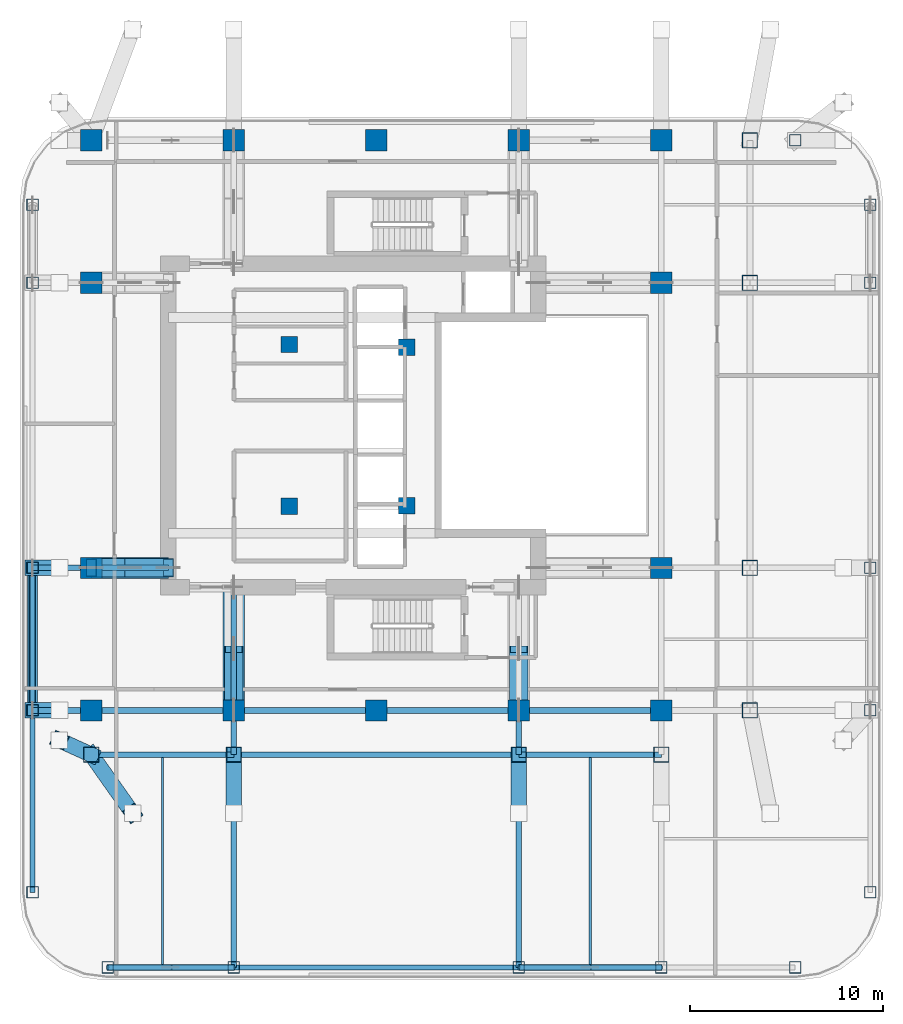
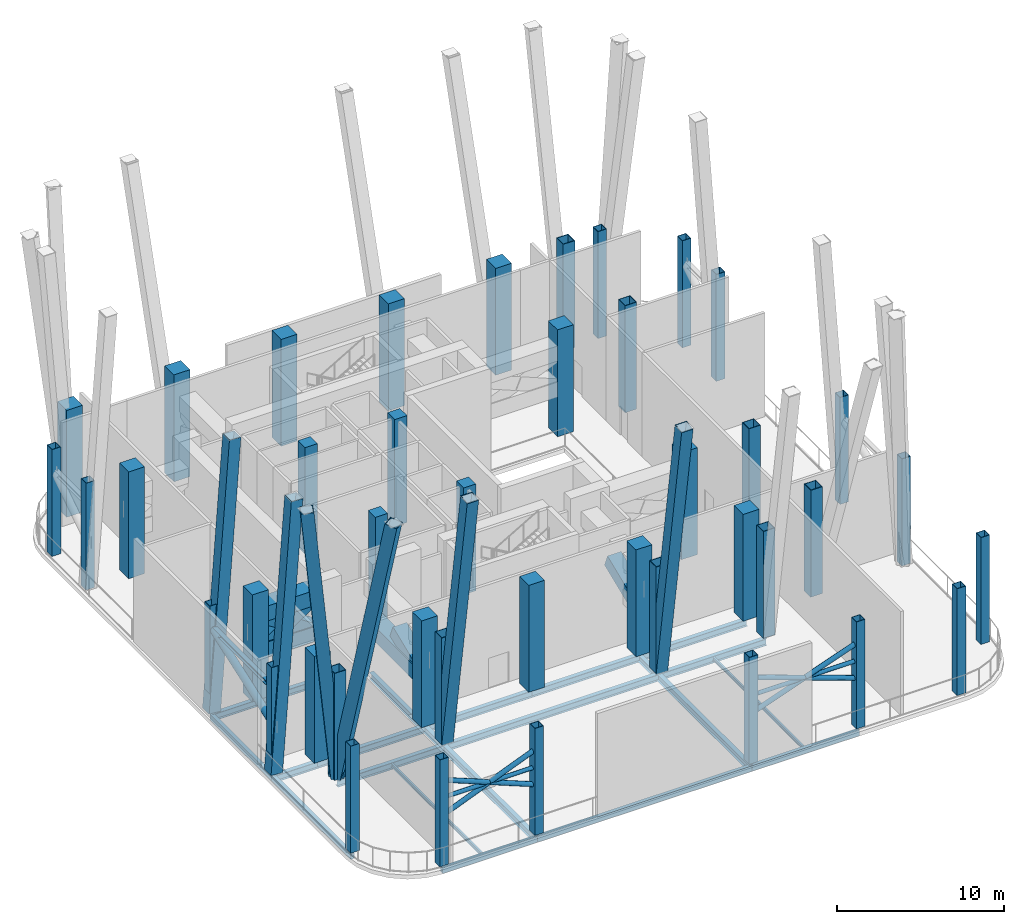
# One storey, part 1 of 9: 42 columns, 24 members, 22 beams.
"""IFC4 building model written with IfcOpenShell, lengths in metres."""

from ifc_helpers import new_model, si_unit, direction, frame, origin, origin_2d, place, context, subcontext, project, spatial, rectangle, hollow_rectangle, hollow_circle, i_section, extrude, material, material_profile, profile_set, type_object, element, save


model = new_model("IFC4")

# Units and contexts
model_context = context("Model", 3, precision=1e-05, world=origin(), true_north=direction((0.0, 1.0)))
body_context = subcontext(model_context, "Body", "Model", "MODEL_VIEW")
ifc_project = project(units=[si_unit("LENGTHUNIT", "METRE"), si_unit("AREAUNIT", "SQUARE_METRE"), si_unit("VOLUMEUNIT", "CUBIC_METRE"), si_unit("PLANEANGLEUNIT", "RADIAN"), si_unit("MASSUNIT", "GRAM", prefix="KILO")], contexts=[model_context])

# Site, building, storey
site_placement = place(None, origin())
site = spatial("IfcSite", under=ifc_project, at=site_placement, CompositionType="ELEMENT")
building_placement = place(site_placement, origin())
building = spatial("IfcBuilding", under=site, at=building_placement, Name="Khorvyn Point Tower", CompositionType="ELEMENT")
storey_placement = place(building_placement, frame((0.0, 0.0, 235.199951171875)))
storey = spatial("IfcBuildingStorey", under=building, at=storey_placement, Name="L58", CompositionType="ELEMENT", Elevation=235.199951171875)

# Columns
ifc_material_1 = material(Name="Concrete C40/50", Category="concrete")
ifc_material_profile_1 = material_profile(ifc_material_1, rectangle(XDim=0.85009765625, YDim=0.85009765625, at=origin_2d()))
ifc_profile_set_1 = profile_set([ifc_material_profile_1], Name="Concrete C40/50 RC850x850")
column_type_1 = type_object("IfcColumnType", Name="Concrete C40/50 Column RC850x850", PredefinedType="COLUMN", material=ifc_profile_set_1)
for number, where, z_axis, x_axis, name in (
    (1, (-4.52001953125, -4.199951171875, 0.0), (0.0, 0.0, 1.0), (1.0, 0.0, 0.0), "L58 Crown Core Spine Column 1"),
    (2, (1.580078125, -4.179931640625, 0.0), (0.0, 0.0, 1.0), (1.0, 0.0, 0.0), "L58 Crown Core Spine Column 2"),
    (3, (1.580078125, 4.050048828125, 0.0), (0.0, 0.0, 1.0), (1.0, 0.0, 0.0), "L58 Crown Core Spine Column 3"),
    (4, (-4.52001953125, 4.199951171875, 0.0), (0.0, 0.0, 1.0), (1.0, 0.0, 0.0), "L58 Crown Core Spine Column 4"),
):
    element("IfcColumn", number, at=place(storey_placement, frame(where, z_axis=z_axis, x_axis=x_axis)), inside=storey, type_object=column_type_1, Name=name, PredefinedType="COLUMN", context=body_context, shape_type="SweptSolid", body=[
        extrude(rectangle(XDim=0.85009765625, YDim=0.85009765625, at=origin_2d()), origin(), (0.0, 0.0, 1.0), 7.800048828125),
    ])
ifc_material_2 = material(Name="Concrete C45/55", Category="concrete")
ifc_material_profile_2 = material_profile(ifc_material_2, rectangle(XDim=1.10009765625, YDim=1.10009765625, at=origin_2d()))
ifc_profile_set_2 = profile_set([ifc_material_profile_2], Name="Concrete C45/55 RC1100x1100")
column_type_2 = type_object("IfcColumnType", Name="Concrete C45/55 Column RC1100x1100", PredefinedType="COLUMN", material=ifc_profile_set_2)
for number, where, z_axis, x_axis, name in (
    (5, (-14.800048828125, -14.800048828125, 0.0), (0.0, 0.0, 1.0), (1.0, 0.0, 0.0), "L58 Mega-Column MC-01"),
    (6, (-7.39990234375, -14.800048828125, 0.0), (0.0, 0.0, 1.0), (1.0, 0.0, 0.0), "L58 Mega-Column MC-02"),
    (7, (0.0, -14.800048828125, 0.0), (0.0, 0.0, 1.0), (1.0, 0.0, 0.0), "L58 Mega-Column MC-03"),
    (8, (7.39990234375, -14.800048828125, 0.0), (0.0, 0.0, 1.0), (1.0, 0.0, 0.0), "L58 Mega-Column MC-04"),
    (9, (14.800048828125, -14.800048828125, 0.0), (0.0, 0.0, 1.0), (1.0, 0.0, 0.0), "L58 Mega-Column MC-05"),
    (10, (-14.800048828125, 14.800048828125, 0.0), (0.0, 0.0, 1.0), (1.0, 0.0, 0.0), "L58 Mega-Column MC-06"),
    (11, (-7.39990234375, 14.800048828125, 0.0), (0.0, 0.0, 1.0), (1.0, 0.0, 0.0), "L58 Mega-Column MC-07"),
    (12, (0.0, 14.800048828125, 0.0), (0.0, 0.0, 1.0), (1.0, 0.0, 0.0), "L58 Mega-Column MC-08"),
    (13, (7.39990234375, 14.800048828125, 0.0), (0.0, 0.0, 1.0), (1.0, 0.0, 0.0), "L58 Mega-Column MC-09"),
    (14, (14.800048828125, 14.800048828125, 0.0), (0.0, 0.0, 1.0), (1.0, 0.0, 0.0), "L58 Mega-Column MC-10"),
    (15, (-14.800048828125, -7.39990234375, 0.0), (0.0, 0.0, 1.0), (1.0, 0.0, 0.0), "L58 Mega-Column MC-11"),
    (16, (-14.800048828125, 7.39990234375, 0.0), (0.0, 0.0, 1.0), (1.0, 0.0, 0.0), "L58 Mega-Column MC-12"),
    (17, (14.800048828125, -7.39990234375, 0.0), (0.0, 0.0, 1.0), (1.0, 0.0, 0.0), "L58 Mega-Column MC-13"),
    (18, (14.800048828125, 7.39990234375, 0.0), (0.0, 0.0, 1.0), (1.0, 0.0, 0.0), "L58 Mega-Column MC-14"),
):
    element("IfcColumn", number, at=place(storey_placement, frame(where, z_axis=z_axis, x_axis=x_axis)), inside=storey, type_object=column_type_2, Name=name, PredefinedType="COLUMN", context=body_context, shape_type="SweptSolid", body=[
        extrude(rectangle(XDim=1.10009765625, YDim=1.10009765625, at=origin_2d()), origin(), (0.0, 0.0, 1.0), 7.800048828125),
    ])
ifc_material_3 = material(Name="Steel S450", Category="steel")
ifc_material_profile_3 = material_profile(ifc_material_3, hollow_rectangle(XDim=0.60009765625, YDim=0.60009765625, WallThickness=0.028076171875, at=origin_2d()))
ifc_profile_set_3 = profile_set([ifc_material_profile_3], Name="Steel S450 BOX600x600x28")
column_type_3 = type_object("IfcColumnType", Name="Steel S450 Structural Column BOX600x600x28", PredefinedType="COLUMN", material=ifc_profile_set_3)
for number, where, z_axis, x_axis, name in (
    (19, (-13.949951171875, -28.14990234375, 0.0), (0.0, 0.0, 1.0), (1.0, 0.0, 0.0), "L58 Perimeter Tube Column TC-01"),
    (20, (21.75, -28.14990234375, 0.0), (0.0, 0.0, 1.0), (1.0, 0.0, 0.0), "L58 Perimeter Tube Column TC-02"),
    (21, (21.75, 14.800048828125, 0.0), (0.0, 0.0, 1.0), (1.0, 0.0, 0.0), "L58 Perimeter Tube Column TC-03"),
    (22, (-17.85009765625, -24.25, 0.0), (0.0, 0.0, 1.0), (1.0, 0.0, 0.0), "L58 Perimeter Tube Column TC-04"),
    (23, (-17.85009765625, 11.449951171875, 0.0), (0.0, 0.0, 1.0), (1.0, 0.0, 0.0), "L58 Perimeter Tube Column TC-05"),
    (24, (25.64990234375, -24.25, 0.0), (0.0, 0.0, 1.0), (1.0, 0.0, 0.0), "L58 Perimeter Tube Column TC-06"),
    (25, (25.64990234375, 11.449951171875, 0.0), (0.0, 0.0, 1.0), (1.0, 0.0, 0.0), "L58 Perimeter Tube Column TC-07"),
    (26, (-7.39990234375, -28.14990234375, 0.0), (0.0, 0.0, 1.0), (1.0, 0.0, 0.0), "L58 Perimeter Tube Column TC-08"),
    (27, (7.39990234375, -28.14990234375, 0.0), (0.0, 0.0, 1.0), (1.0, 0.0, 0.0), "L58 Perimeter Tube Column TC-09"),
    (28, (14.800048828125, -28.14990234375, 0.0), (0.0, 0.0, 1.0), (1.0, 0.0, 0.0), "L58 Perimeter Tube Column TC-10"),
    (29, (-17.85009765625, -14.800048828125, 0.0), (0.0, 0.0, 1.0), (1.0, 0.0, 0.0), "L58 Perimeter Tube Column TC-11"),
    (30, (25.64990234375, -14.800048828125, 0.0), (0.0, 0.0, 1.0), (1.0, 0.0, 0.0), "L58 Perimeter Tube Column TC-12"),
    (31, (-17.85009765625, -7.39990234375, 0.0), (0.0, 0.0, 1.0), (1.0, 0.0, 0.0), "L58 Perimeter Tube Column TC-13"),
    (32, (25.64990234375, -7.39990234375, 0.0), (0.0, 0.0, 1.0), (1.0, 0.0, 0.0), "L58 Perimeter Tube Column TC-14"),
    (33, (-17.85009765625, 7.39990234375, 0.0), (0.0, 0.0, 1.0), (1.0, 0.0, 0.0), "L58 Perimeter Tube Column TC-15"),
    (34, (25.64990234375, 7.39990234375, 0.0), (0.0, 0.0, 1.0), (1.0, 0.0, 0.0), "L58 Perimeter Tube Column TC-16"),
):
    element("IfcColumn", number, at=place(storey_placement, frame(where, z_axis=z_axis, x_axis=x_axis)), inside=storey, type_object=column_type_3, Name=name, PredefinedType="COLUMN", context=body_context, shape_type="SweptSolid", body=[
        extrude(hollow_rectangle(XDim=0.60009765625, YDim=0.60009765625, WallThickness=0.028076171875, at=origin_2d()), origin(), (0.0, 0.0, 1.0), 7.800048828125),
    ])
ifc_material_profile_4 = material_profile(ifc_material_3, hollow_rectangle(XDim=0.800048828125, YDim=0.800048828125, WallThickness=0.035888671875, at=origin_2d()))
ifc_profile_set_4 = profile_set([ifc_material_profile_4], Name="Steel S450 BOX800x800x36")
column_type_4 = type_object("IfcColumnType", Name="Steel S450 Structural Column BOX800x800x36", PredefinedType="COLUMN", material=ifc_profile_set_4)
for number, where, z_axis, x_axis, name in (
    (35, (19.39990234375, -14.800048828125, 0.0), (0.0, 0.0, 1.0), (1.0, 0.0, 0.0), "L58 Intermediate Column ICE--14"),
    (36, (19.39990234375, -7.39990234375, 0.0), (0.0, 0.0, 1.0), (1.0, 0.0, 0.0), "L58 Intermediate Column ICE--7"),
    (37, (19.39990234375, 7.39990234375, 0.0), (0.0, 0.0, 1.0), (1.0, 0.0, 0.0), "L58 Intermediate Column ICE-7"),
    (38, (19.39990234375, 14.800048828125, 0.0), (0.0, 0.0, 1.0), (1.0, 0.0, 0.0), "L58 Intermediate Column ICE-14"),
    (39, (-14.800048828125, -17.10009765625, 0.0), (0.0, 0.0, 1.0), (1.0, 0.0, 0.0), "L58 Intermediate Column ICS--14"),
    (40, (-7.39990234375, -17.10009765625, 0.0), (0.0, 0.0, 1.0), (1.0, 0.0, 0.0), "L58 Intermediate Column ICS--7"),
    (41, (7.39990234375, -17.10009765625, 0.0), (0.0, 0.0, 1.0), (1.0, 0.0, 0.0), "L58 Intermediate Column ICS-7"),
    (42, (14.800048828125, -17.10009765625, 0.0), (0.0, 0.0, 1.0), (1.0, 0.0, 0.0), "L58 Intermediate Column ICS-14"),
):
    element("IfcColumn", number, at=place(storey_placement, frame(where, z_axis=z_axis, x_axis=x_axis)), inside=storey, type_object=column_type_4, Name=name, PredefinedType="COLUMN", context=body_context, shape_type="SweptSolid", body=[
        extrude(hollow_rectangle(XDim=0.800048828125, YDim=0.800048828125, WallThickness=0.035888671875, at=origin_2d()), origin(), (0.0, 0.0, 1.0), 7.800048828125),
    ])

# Beams
ifc_material_4 = material(Name="Steel S355", Category="steel")
ifc_material_profile_5 = material_profile(ifc_material_4, i_section(OverallWidth=0.125, OverallDepth=0.25, WebThickness=0.006103515625, FlangeThickness=0.009033203125, at=origin_2d()))
ifc_profile_set_5 = profile_set([ifc_material_profile_5], Name="Steel S355 H250x125x6x9")
beam_type_1 = type_object("IfcBeamType", Name="Steel S355 Joist H250x125x6x9", PredefinedType="JOIST", material=ifc_profile_set_5)
for number, where, z_axis, x_axis, name in (
    (43, (-11.10009765625, -28.02490234375, -0.425048828125), (0.0, 1.0, 0.0), (-1.0, 0.0, 0.0), "Beam"),
    (44, (11.10009765625, -28.02490234375, -0.425048828125), (0.0, 1.0, 0.0), (-1.0, 0.0, 0.0), "Beam"),
):
    element("IfcBeam", number, at=place(storey_placement, frame(where, z_axis=z_axis, x_axis=x_axis)), inside=storey, type_object=beam_type_1, Name=name, PredefinedType="JOIST", context=body_context, shape_type="SweptSolid", body=[
        extrude(i_section(OverallWidth=0.125, OverallDepth=0.25, WebThickness=0.006103515625, FlangeThickness=0.009033203125, at=origin_2d()), origin(), (0.0, 0.0, 1.0), 10.77490234375),
    ])
ifc_material_profile_6 = material_profile(ifc_material_4, i_section(OverallWidth=0.300048828125, OverallDepth=0.488037109375, WebThickness=0.010986328125, FlangeThickness=0.01806640625, at=origin_2d()))
ifc_profile_set_6 = profile_set([ifc_material_profile_6], Name="Steel S355 H488x300x11x18")
beam_type_2 = type_object("IfcBeamType", Name="Steel S355 Spandrel H488x300x11x18", PredefinedType="SPANDREL", material=ifc_profile_set_6)
beam_1_placement = place(storey_placement, frame((-17.85009765625, -14.800048828125, -0.5439453125), z_axis=(1.0, 0.0, 0.0), x_axis=(0.0, 1.0, 0.0)))
element("IfcBeam", 45, at=beam_1_placement, inside=storey, type_object=beam_type_2, Name="Beam", PredefinedType="SPANDREL", context=body_context, shape_type="SweptSolid", body=[
    extrude(i_section(OverallWidth=0.300048828125, OverallDepth=0.488037109375, WebThickness=0.010986328125, FlangeThickness=0.01806640625, at=origin_2d()), origin(), (0.0, 0.0, 1.0), 3.050048828125),
])
beam_2_placement = place(storey_placement, frame((-14.800048828125, -14.800048828125, -0.5439453125), z_axis=(1.0, 0.0, 0.0), x_axis=(0.0, 1.0, 0.0)))
element("IfcBeam", 46, at=beam_2_placement, inside=storey, type_object=beam_type_2, Name="Beam", PredefinedType="SPANDREL", context=body_context, shape_type="SweptSolid", body=[
    extrude(i_section(OverallWidth=0.300048828125, OverallDepth=0.488037109375, WebThickness=0.010986328125, FlangeThickness=0.01806640625, at=origin_2d()), origin(), (0.0, 0.0, 1.0), 7.400146484375),
])
for number, where, z_axis, x_axis, name in (
    (47, (-7.39990234375, -14.800048828125, -0.5439453125), (1.0, 0.0, 0.0), (0.0, 1.0, 0.0), "Beam"),
    (48, (0.0, -14.800048828125, -0.5439453125), (1.0, 0.0, 0.0), (0.0, 1.0, 0.0), "Beam"),
):
    element("IfcBeam", number, at=place(storey_placement, frame(where, z_axis=z_axis, x_axis=x_axis)), inside=storey, type_object=beam_type_2, Name=name, PredefinedType="SPANDREL", context=body_context, shape_type="SweptSolid", body=[
        extrude(i_section(OverallWidth=0.300048828125, OverallDepth=0.488037109375, WebThickness=0.010986328125, FlangeThickness=0.01806640625, at=origin_2d()), origin(), (0.0, 0.0, 1.0), 7.39990234375),
    ])
beam_3_placement = place(storey_placement, frame((7.39990234375, -14.800048828125, -0.5439453125), z_axis=(1.0, 0.0, 0.0), x_axis=(0.0, 1.0, 0.0)))
element("IfcBeam", 49, at=beam_3_placement, inside=storey, type_object=beam_type_2, Name="Beam", PredefinedType="SPANDREL", context=body_context, shape_type="SweptSolid", body=[
    extrude(i_section(OverallWidth=0.300048828125, OverallDepth=0.488037109375, WebThickness=0.010986328125, FlangeThickness=0.01806640625, at=origin_2d()), origin(), (0.0, 0.0, 1.0), 7.400146484375),
])
beam_4_placement = place(storey_placement, frame((-17.85009765625, -7.39990234375, -0.5439453125), z_axis=(1.0, 0.0, 0.0), x_axis=(0.0, 1.0, 0.0)))
element("IfcBeam", 50, at=beam_4_placement, inside=storey, type_object=beam_type_2, Name="Beam", PredefinedType="SPANDREL", context=body_context, shape_type="SweptSolid", body=[
    extrude(i_section(OverallWidth=0.300048828125, OverallDepth=0.488037109375, WebThickness=0.010986328125, FlangeThickness=0.01806640625, at=origin_2d()), origin(), (0.0, 0.0, 1.0), 3.050048828125),
])
beam_5_placement = place(storey_placement, frame((-14.800048828125, -7.39990234375, -0.5439453125), z_axis=(1.0, 0.0, 0.0), x_axis=(0.0, 1.0, 0.0)))
element("IfcBeam", 51, at=beam_5_placement, inside=storey, type_object=beam_type_2, Name="Beam", PredefinedType="SPANDREL", context=body_context, shape_type="SweptSolid", body=[
    extrude(i_section(OverallWidth=0.300048828125, OverallDepth=0.488037109375, WebThickness=0.010986328125, FlangeThickness=0.01806640625, at=origin_2d()), origin(), (0.0, 0.0, 1.0), 4.0),
])
beam_6_placement = place(storey_placement, frame((-14.800048828125, -17.10009765625, -0.5439453125), z_axis=(1.0, 0.0, 0.0), x_axis=(0.0, 1.0, 0.0)))
element("IfcBeam", 52, at=beam_6_placement, inside=storey, type_object=beam_type_2, Name="Beam", PredefinedType="SPANDREL", context=body_context, shape_type="SweptSolid", body=[
    extrude(i_section(OverallWidth=0.300048828125, OverallDepth=0.488037109375, WebThickness=0.010986328125, FlangeThickness=0.01806640625, at=origin_2d()), origin(), (0.0, 0.0, 1.0), 7.400146484375),
])
beam_7_placement = place(storey_placement, frame((-7.39990234375, -17.10009765625, -0.5439453125), z_axis=(1.0, 0.0, 0.0), x_axis=(0.0, 1.0, 0.0)))
element("IfcBeam", 53, at=beam_7_placement, inside=storey, type_object=beam_type_2, Name="Beam", PredefinedType="SPANDREL", context=body_context, shape_type="SweptSolid", body=[
    extrude(i_section(OverallWidth=0.300048828125, OverallDepth=0.488037109375, WebThickness=0.010986328125, FlangeThickness=0.01806640625, at=origin_2d()), origin(), (0.0, 0.0, 1.0), 14.7998046875),
])
beam_8_placement = place(storey_placement, frame((7.39990234375, -17.10009765625, -0.5439453125), z_axis=(1.0, 0.0, 0.0), x_axis=(0.0, 1.0, 0.0)))
element("IfcBeam", 54, at=beam_8_placement, inside=storey, type_object=beam_type_2, Name="Beam", PredefinedType="SPANDREL", context=body_context, shape_type="SweptSolid", body=[
    extrude(i_section(OverallWidth=0.300048828125, OverallDepth=0.488037109375, WebThickness=0.010986328125, FlangeThickness=0.01806640625, at=origin_2d()), origin(), (0.0, 0.0, 1.0), 7.400146484375),
])
beam_9_placement = place(storey_placement, frame((-7.39990234375, -28.14990234375, -0.5439453125), z_axis=(0.0, 1.0, 0.0), x_axis=(-1.0, 0.0, 0.0)))
element("IfcBeam", 55, at=beam_9_placement, inside=storey, type_object=beam_type_2, Name="Beam", PredefinedType="SPANDREL", context=body_context, shape_type="SweptSolid", body=[
    extrude(i_section(OverallWidth=0.300048828125, OverallDepth=0.488037109375, WebThickness=0.010986328125, FlangeThickness=0.01806640625, at=origin_2d()), origin(), (0.0, 0.0, 1.0), 11.0498046875),
])
beam_10_placement = place(storey_placement, frame((-7.39990234375, -17.10009765625, -0.5439453125), z_axis=(0.0, 1.0, 0.0), x_axis=(-1.0, 0.0, 0.0)))
element("IfcBeam", 56, at=beam_10_placement, inside=storey, type_object=beam_type_2, Name="Beam", PredefinedType="SPANDREL", context=body_context, shape_type="SweptSolid", body=[
    extrude(i_section(OverallWidth=0.300048828125, OverallDepth=0.488037109375, WebThickness=0.010986328125, FlangeThickness=0.01806640625, at=origin_2d()), origin(), (0.0, 0.0, 1.0), 2.300048828125),
])
beam_11_placement = place(storey_placement, frame((-7.39990234375, -14.800048828125, -0.5439453125), z_axis=(0.0, 1.0, 0.0), x_axis=(-1.0, 0.0, 0.0)))
element("IfcBeam", 57, at=beam_11_placement, inside=storey, type_object=beam_type_2, Name="Beam", PredefinedType="SPANDREL", context=body_context, shape_type="SweptSolid", body=[
    extrude(i_section(OverallWidth=0.300048828125, OverallDepth=0.488037109375, WebThickness=0.010986328125, FlangeThickness=0.01806640625, at=origin_2d()), origin(), (0.0, 0.0, 1.0), 6.400146484375),
])
beam_12_placement = place(storey_placement, frame((7.39990234375, -28.14990234375, -0.5439453125), z_axis=(0.0, 1.0, 0.0), x_axis=(-1.0, 0.0, 0.0)))
element("IfcBeam", 58, at=beam_12_placement, inside=storey, type_object=beam_type_2, Name="Beam", PredefinedType="SPANDREL", context=body_context, shape_type="SweptSolid", body=[
    extrude(i_section(OverallWidth=0.300048828125, OverallDepth=0.488037109375, WebThickness=0.010986328125, FlangeThickness=0.01806640625, at=origin_2d()), origin(), (0.0, 0.0, 1.0), 11.0498046875),
])
beam_13_placement = place(storey_placement, frame((7.39990234375, -17.10009765625, -0.5439453125), z_axis=(0.0, 1.0, 0.0), x_axis=(-1.0, 0.0, 0.0)))
element("IfcBeam", 59, at=beam_13_placement, inside=storey, type_object=beam_type_2, Name="Beam", PredefinedType="SPANDREL", context=body_context, shape_type="SweptSolid", body=[
    extrude(i_section(OverallWidth=0.300048828125, OverallDepth=0.488037109375, WebThickness=0.010986328125, FlangeThickness=0.01806640625, at=origin_2d()), origin(), (0.0, 0.0, 1.0), 2.300048828125),
])
ifc_material_profile_7 = material_profile(ifc_material_4, hollow_rectangle(XDim=0.25, YDim=0.39990234375, WallThickness=0.01611328125, at=origin_2d()))
ifc_profile_set_7 = profile_set([ifc_material_profile_7], Name="Steel S355 RHS400x250x16")
beam_type_3 = type_object("IfcBeamType", Name="Steel S355 Spandrel RHS400x250x16", PredefinedType="SPANDREL", material=ifc_profile_set_7)
beam_14_placement = place(storey_placement, frame((-13.949951171875, -28.14990234375, -0.5), z_axis=(1.0, 0.0, 0.0), x_axis=(0.0, 1.0, 0.0)))
element("IfcBeam", 60, at=beam_14_placement, inside=storey, type_object=beam_type_3, Name="Beam", PredefinedType="SPANDREL", context=body_context, shape_type="SweptSolid", body=[
    extrude(hollow_rectangle(XDim=0.25, YDim=0.39990234375, WallThickness=0.01611328125, at=origin_2d()), origin(), (0.0, 0.0, 1.0), 6.550048828125),
])
beam_15_placement = place(storey_placement, frame((-7.39990234375, -28.14990234375, -0.5), z_axis=(1.0, 0.0, 0.0), x_axis=(0.0, 1.0, 0.0)))
element("IfcBeam", 61, at=beam_15_placement, inside=storey, type_object=beam_type_3, Name="Beam", PredefinedType="SPANDREL", context=body_context, shape_type="SweptSolid", body=[
    extrude(hollow_rectangle(XDim=0.25, YDim=0.39990234375, WallThickness=0.01611328125, at=origin_2d()), origin(), (0.0, 0.0, 1.0), 14.7998046875),
])
beam_16_placement = place(storey_placement, frame((7.39990234375, -28.14990234375, -0.5), z_axis=(1.0, 0.0, 0.0), x_axis=(0.0, 1.0, 0.0)))
element("IfcBeam", 62, at=beam_16_placement, inside=storey, type_object=beam_type_3, Name="Beam", PredefinedType="SPANDREL", context=body_context, shape_type="SweptSolid", body=[
    extrude(hollow_rectangle(XDim=0.25, YDim=0.39990234375, WallThickness=0.01611328125, at=origin_2d()), origin(), (0.0, 0.0, 1.0), 7.400146484375),
])
beam_17_placement = place(storey_placement, frame((-17.85009765625, -24.25, -0.5), z_axis=(0.0, 1.0, 0.0), x_axis=(-1.0, 0.0, 0.0)))
element("IfcBeam", 63, at=beam_17_placement, inside=storey, type_object=beam_type_3, Name="Beam", PredefinedType="SPANDREL", context=body_context, shape_type="SweptSolid", body=[
    extrude(hollow_rectangle(XDim=0.25, YDim=0.39990234375, WallThickness=0.01611328125, at=origin_2d()), origin(), (0.0, 0.0, 1.0), 9.449951171875),
])
beam_18_placement = place(storey_placement, frame((-17.85009765625, -14.800048828125, -0.5), z_axis=(0.0, 1.0, 0.0), x_axis=(-1.0, 0.0, 0.0)))
element("IfcBeam", 64, at=beam_18_placement, inside=storey, type_object=beam_type_3, Name="Beam", PredefinedType="SPANDREL", context=body_context, shape_type="SweptSolid", body=[
    extrude(hollow_rectangle(XDim=0.25, YDim=0.39990234375, WallThickness=0.01611328125, at=origin_2d()), origin(), (0.0, 0.0, 1.0), 7.400146484375),
])

# Members
ifc_material_profile_8 = material_profile(ifc_material_4, hollow_circle(Radius=0.161865234375, WallThickness=0.012451171875, at=origin_2d()))
ifc_profile_set_8 = profile_set([ifc_material_profile_8], Name="Steel S355 CHS323.9x12.5")
member_type_1 = type_object("IfcMemberType", Name="Steel S355 Truss Brace CHS323.9x12.5", PredefinedType="BRACE", material=ifc_profile_set_8)
member_1_placement = place(storey_placement, frame((-13.949951171875, -28.14990234375, 3.449951171875), z_axis=(0.927982085746, 0.0, 0.372624809338), x_axis=(0.0, 1.0, 0.0)))
element("IfcMember", 65, at=member_1_placement, inside=storey, type_object=member_type_1, Name="BT-BR1-L58-S1", PredefinedType="BRACE", context=body_context, shape_type="SweptSolid", body=[
    extrude(hollow_circle(Radius=0.161865234375, WallThickness=0.012451171875, at=origin_2d()), origin(), (0.0, 0.0, 1.0), 7.058349609375),
])
member_2_placement = place(storey_placement, frame((-13.949951171875, -28.14990234375, 6.080078125), z_axis=(0.928183514972, 0.0, -0.372122778842), x_axis=(0.0, 1.0, 0.0)))
element("IfcMember", 66, at=member_2_placement, inside=storey, type_object=member_type_1, Name="BT-BR2A-L58-S1", PredefinedType="BRACE", context=body_context, shape_type="SweptSolid", body=[
    extrude(hollow_circle(Radius=0.161865234375, WallThickness=0.012451171875, at=origin_2d()), origin(), (0.0, 0.0, 1.0), 3.5068359375),
])
member_3_placement = place(storey_placement, frame((-10.655029296875, -28.14990234375, 4.755126953125), z_axis=(0.928169109461, 0.0, -0.372158708406), x_axis=(0.0, 1.0, 0.0)))
element("IfcMember", 67, at=member_3_placement, inside=storey, type_object=member_type_1, Name="BT-BR2B-L58-S1", PredefinedType="BRACE", context=body_context, shape_type="SweptSolid", body=[
    extrude(hollow_circle(Radius=0.161865234375, WallThickness=0.012451171875, at=origin_2d()), origin(), (0.0, 0.0, 1.0), 3.507080078125),
])
member_4_placement = place(storey_placement, frame((7.39990234375, -28.14990234375, 3.449951171875), z_axis=(0.942256331258, 0.0, 0.334892529334), x_axis=(0.0, 1.0, 0.0)))
element("IfcMember", 68, at=member_4_placement, inside=storey, type_object=member_type_1, Name="BT-BR1-L58-S2", PredefinedType="BRACE", context=body_context, shape_type="SweptSolid", body=[
    extrude(hollow_circle(Radius=0.161865234375, WallThickness=0.012451171875, at=origin_2d()), origin(), (0.0, 0.0, 1.0), 7.853759765625),
])
member_5_placement = place(storey_placement, frame((7.39990234375, -28.14990234375, 6.080078125), z_axis=(0.94250336403, 0.0, -0.334196661851), x_axis=(0.0, 1.0, 0.0)))
element("IfcMember", 69, at=member_5_placement, inside=storey, type_object=member_type_1, Name="BT-BR2A-L58-S2", PredefinedType="BRACE", context=body_context, shape_type="SweptSolid", body=[
    extrude(hollow_circle(Radius=0.161865234375, WallThickness=0.012451171875, at=origin_2d()), origin(), (0.0, 0.0, 1.0), 3.90478515625),
])
member_6_placement = place(storey_placement, frame((11.1201171875, -28.14990234375, 4.755126953125), z_axis=(0.942476682497, 0.0, -0.33427189973), x_axis=(0.0, 1.0, 0.0)))
element("IfcMember", 70, at=member_6_placement, inside=storey, type_object=member_type_1, Name="BT-BR2B-L58-S2", PredefinedType="BRACE", context=body_context, shape_type="SweptSolid", body=[
    extrude(hollow_circle(Radius=0.161865234375, WallThickness=0.012451171875, at=origin_2d()), origin(), (0.0, 0.0, 1.0), 3.904541015625),
])
ifc_material_profile_9 = material_profile(ifc_material_4, hollow_circle(Radius=0.136474609375, WallThickness=0.010009765625, at=origin_2d()))
ifc_profile_set_9 = profile_set([ifc_material_profile_9], Name="Steel S355 CHS273x10")
member_type_2 = type_object("IfcMemberType", Name="Steel S355 Truss Chord CHS273x10", PredefinedType="CHORD", material=ifc_profile_set_9)
member_7_placement = place(storey_placement, frame((-13.949951171875, -28.14990234375, 4.76513671875), z_axis=(1.0, 0.0, 0.0), x_axis=(0.0, 1.0, 0.0)))
element("IfcMember", 71, at=member_7_placement, inside=storey, type_object=member_type_2, Name="L58 Belt Truss Chord", PredefinedType="CHORD", context=body_context, shape_type="SweptSolid", body=[
    extrude(hollow_circle(Radius=0.136474609375, WallThickness=0.010009765625, at=origin_2d()), origin(), (0.0, 0.0, 1.0), 6.550048828125),
])
member_8_placement = place(storey_placement, frame((7.39990234375, -28.14990234375, 4.76513671875), z_axis=(1.0, 0.0, 0.0), x_axis=(0.0, 1.0, 0.0)))
element("IfcMember", 72, at=member_8_placement, inside=storey, type_object=member_type_2, Name="L58 Belt Truss Chord", PredefinedType="CHORD", context=body_context, shape_type="SweptSolid", body=[
    extrude(hollow_circle(Radius=0.136474609375, WallThickness=0.010009765625, at=origin_2d()), origin(), (0.0, 0.0, 1.0), 7.400146484375),
])
ifc_material_profile_10 = material_profile(ifc_material_4, i_section(OverallWidth=0.300048828125, OverallDepth=0.300048828125, WebThickness=0.010009765625, FlangeThickness=0.014892578125, at=origin_2d()))
ifc_profile_set_10 = profile_set([ifc_material_profile_10], Name="Steel S355 H300x300x10x15")
member_type_3 = type_object("IfcMemberType", Name="Steel S355 Truss Chord H300x300x10x15", PredefinedType="CHORD", material=ifc_profile_set_10)
member_9_placement = place(storey_placement, frame((-17.85009765625, -14.800048828125, 6.080078125), z_axis=(0.0, 1.0, 0.0), x_axis=(-1.0, 0.0, 0.0)))
element("IfcMember", 73, at=member_9_placement, inside=storey, type_object=member_type_3, Name="EXO-CH1-L58-W1", PredefinedType="CHORD", context=body_context, shape_type="SweptSolid", body=[
    extrude(i_section(OverallWidth=0.300048828125, OverallDepth=0.300048828125, WebThickness=0.010009765625, FlangeThickness=0.014892578125, at=origin_2d()), origin(), (0.0, 0.0, 1.0), 7.400146484375),
])
ifc_material_profile_11 = material_profile(ifc_material_3, hollow_rectangle(XDim=0.800048828125, YDim=0.800048828125, WallThickness=0.035888671875, at=origin_2d()))
ifc_profile_set_11 = profile_set([ifc_material_profile_11], Name="Steel S450 BOX800x800x36")
member_type_4 = type_object("IfcMemberType", Name="Steel S450 Exoskeleton Structural Post BOX800x800x36", PredefinedType="POST", material=ifc_profile_set_11)
member_10_placement = place(storey_placement, frame((-14.800048828125, -17.10009765625, 0.0), z_axis=(0.108298843655, -0.153612939132, 0.982178408129), x_axis=(0.817303166165, 0.576207891804, 0.0)))
element("IfcMember", 74, at=member_10_placement, inside=storey, type_object=member_type_4, Name="L58 to L62 Exoskeleton Transfer Post 01", PredefinedType="POST", context=body_context, shape_type="SweptSolid", body=[
    extrude(hollow_rectangle(XDim=0.800048828125, YDim=0.800048828125, WallThickness=0.035888671875, at=origin_2d()), origin(), (0.0, 0.0, 1.0), 19.853759765625),
])
member_11_placement = place(storey_placement, frame((-14.800048828125, -17.10009765625, 0.0), z_axis=(-0.084247286331, 0.03829648766, 0.995708679172), x_axis=(-0.413823242677, -0.910357250655, 0.0)))
element("IfcMember", 75, at=member_11_placement, inside=storey, type_object=member_type_4, Name="L58 to L62 Exoskeleton Transfer Post 05", PredefinedType="POST", context=body_context, shape_type="SweptSolid", body=[
    extrude(hollow_rectangle(XDim=0.800048828125, YDim=0.800048828125, WallThickness=0.035888671875, at=origin_2d()), origin(), (0.0, 0.0, 1.0), 19.583984375),
])
for number, where, z_axis, x_axis, name in (
    (76, (-7.39990234375, -17.10009765625, 0.0), (0.0, -0.154521776961, 0.987989382759), (1.0, 0.0, 0.0), "L58 to L62 Exoskeleton Transfer Post 09"),
    (77, (7.39990234375, -17.10009765625, 0.0), (0.0, -0.154521776961, 0.987989382759), (1.0, 0.0, 0.0), "L58 to L62 Exoskeleton Transfer Post 11"),
):
    element("IfcMember", number, at=place(storey_placement, frame(where, z_axis=z_axis, x_axis=x_axis)), inside=storey, type_object=member_type_4, Name=name, PredefinedType="POST", context=body_context, shape_type="SweptSolid", body=[
        extrude(hollow_rectangle(XDim=0.800048828125, YDim=0.800048828125, WallThickness=0.035888671875, at=origin_2d()), origin(), (0.0, 0.0, 1.0), 19.737060546875),
    ])
for number, where, z_axis, x_axis, name in (
    (78, (-17.85009765625, -14.800048828125, 0.0), (0.071618004894, 0.0, 0.997432133719), (0.0, 1.0, 0.0), "L58 to L62 Exoskeleton Transfer Post 15"),
    (79, (-17.85009765625, -7.39990234375, 0.0), (0.071618004894, 0.0, 0.997432133719), (0.0, 1.0, 0.0), "L58 to L62 Exoskeleton Transfer Post 17"),
):
    element("IfcMember", number, at=place(storey_placement, frame(where, z_axis=z_axis, x_axis=x_axis)), inside=storey, type_object=member_type_4, Name=name, PredefinedType="POST", context=body_context, shape_type="SweptSolid", body=[
        extrude(hollow_rectangle(XDim=0.800048828125, YDim=0.800048828125, WallThickness=0.035888671875, at=origin_2d()), origin(), (0.0, 0.0, 1.0), 19.55029296875),
    ])
ifc_material_profile_12 = material_profile(ifc_material_3, hollow_rectangle(XDim=0.949951171875, YDim=0.949951171875, WallThickness=0.0400390625, at=origin_2d()))
ifc_profile_set_12 = profile_set([ifc_material_profile_12], Name="Steel S450 BOX950x950x40")
member_type_5 = type_object("IfcMemberType", Name="Steel S450 Truss Brace BOX950x950x40", PredefinedType="BRACE", material=ifc_profile_set_12)
member_12_placement = place(storey_placement, frame((-10.800048828125, -7.39990234375, 3.449951171875), z_axis=(-0.83555632099, 0.0, 0.549404800173), x_axis=(0.0, -1.0, 0.0)))
element("IfcMember", 80, at=member_12_placement, inside=storey, type_object=member_type_5, Name="OT-BR1-L58-WS", PredefinedType="BRACE", context=body_context, shape_type="SweptSolid", body=[
    extrude(hollow_rectangle(XDim=0.949951171875, YDim=0.949951171875, WallThickness=0.0400390625, at=origin_2d()), origin(), (0.0, 0.0, 1.0), 4.787109375),
])
member_13_placement = place(storey_placement, frame((-10.800048828125, -7.39990234375, 6.080078125), z_axis=(-0.835545615309, 0.0, -0.549421081447), x_axis=(0.0, -1.0, 0.0)))
element("IfcMember", 81, at=member_13_placement, inside=storey, type_object=member_type_5, Name="OT-BR2A-L58-WS", PredefinedType="BRACE", context=body_context, shape_type="SweptSolid", body=[
    extrude(hollow_rectangle(XDim=0.949951171875, YDim=0.949951171875, WallThickness=0.0400390625, at=origin_2d()), origin(), (0.0, 0.0, 1.0), 2.363525390625),
])
member_14_placement = place(storey_placement, frame((-12.824951171875, -7.39990234375, 4.74853515625), z_axis=(-0.83557679198, 0.0, -0.549373665827), x_axis=(0.0, -1.0, 0.0)))
element("IfcMember", 82, at=member_14_placement, inside=storey, type_object=member_type_5, Name="OT-BR2B-L58-WS", PredefinedType="BRACE", context=body_context, shape_type="SweptSolid", body=[
    extrude(hollow_rectangle(XDim=0.949951171875, YDim=0.949951171875, WallThickness=0.0400390625, at=origin_2d()), origin(), (0.0, 0.0, 1.0), 2.36376953125),
])
for number, where, z_axis, x_axis, name in (
    (83, (-7.39990234375, -11.625, 4.754638671875), (0.0, -0.924953299929, -0.380080771613), (1.0, 0.0, 0.0), "OT-BR2B-L58-SW"),
    (84, (7.39990234375, -11.625, 4.754638671875), (0.0, -0.924953299929, -0.380080771613), (1.0, 0.0, 0.0), "OT-BR2B-L58-SE"),
):
    element("IfcMember", number, at=place(storey_placement, frame(where, z_axis=z_axis, x_axis=x_axis)), inside=storey, type_object=member_type_5, Name=name, PredefinedType="BRACE", context=body_context, shape_type="SweptSolid", body=[
        extrude(hollow_rectangle(XDim=0.949951171875, YDim=0.949951171875, WallThickness=0.0400390625, at=origin_2d()), origin(), (0.0, 0.0, 1.0), 3.4326171875),
    ])
ifc_material_profile_13 = material_profile(ifc_material_3, hollow_circle(Radius=0.25390625, WallThickness=0.02001953125, at=origin_2d()))
ifc_profile_set_13 = profile_set([ifc_material_profile_13], Name="Steel S450 CHS508x20")
member_type_6 = type_object("IfcMemberType", Name="Steel S450 Truss Brace CHS508x20", PredefinedType="BRACE", material=ifc_profile_set_13)
member_15_placement = place(storey_placement, frame((-17.85009765625, -14.800048828125, 3.449951171875), z_axis=(0.0, 0.942256331258, 0.334892529334), x_axis=(-1.0, 0.0, 0.0)))
element("IfcMember", 85, at=member_15_placement, inside=storey, type_object=member_type_6, Name="EXO-BR1-L58-W1", PredefinedType="BRACE", context=body_context, shape_type="SweptSolid", body=[
    extrude(hollow_circle(Radius=0.25390625, WallThickness=0.02001953125, at=origin_2d()), origin(), (0.0, 0.0, 1.0), 7.853759765625),
])
ifc_material_profile_14 = material_profile(ifc_material_3, hollow_rectangle(XDim=1.10009765625, YDim=1.10009765625, WallThickness=0.044921875, at=origin_2d()))
ifc_profile_set_14 = profile_set([ifc_material_profile_14], Name="Steel S450 BOX1100x1100x45")
member_type_7 = type_object("IfcMemberType", Name="Steel S450 Truss Chord BOX1100x1100x45", PredefinedType="CHORD", material=ifc_profile_set_14)
for number, where, z_axis, x_axis, name in (
    (86, (-10.800048828125, -7.39990234375, 3.449951171875), (-1.0, 0.0, 0.0), (0.0, -1.0, 0.0), "L58 Outrigger Truss Chord"),
    (87, (-10.800048828125, -7.39990234375, 6.080078125), (-1.0, 0.0, 0.0), (0.0, -1.0, 0.0), "L58 Outrigger Truss Chord"),
):
    element("IfcMember", number, at=place(storey_placement, frame(where, z_axis=z_axis, x_axis=x_axis)), inside=storey, type_object=member_type_7, Name=name, PredefinedType="CHORD", context=body_context, shape_type="SweptSolid", body=[
        extrude(hollow_rectangle(XDim=1.10009765625, YDim=1.10009765625, WallThickness=0.044921875, at=origin_2d()), origin(), (0.0, 0.0, 1.0), 4.0),
    ])
member_16_placement = place(storey_placement, frame((-7.39990234375, -8.39990234375, 3.449951171875), z_axis=(0.0, -1.0, 0.0), x_axis=(1.0, 0.0, 0.0)))
element("IfcMember", 88, at=member_16_placement, inside=storey, type_object=member_type_7, Name="L58 Outrigger Truss Chord", PredefinedType="CHORD", context=body_context, shape_type="SweptSolid", body=[
    extrude(hollow_rectangle(XDim=1.10009765625, YDim=1.10009765625, WallThickness=0.044921875, at=origin_2d()), origin(), (0.0, 0.0, 1.0), 6.400146484375),
])

save(model, "model.ifc")
